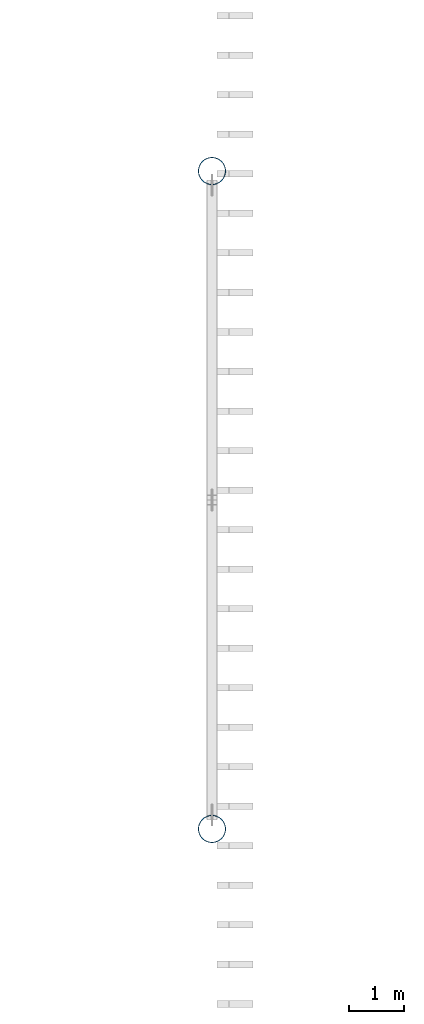
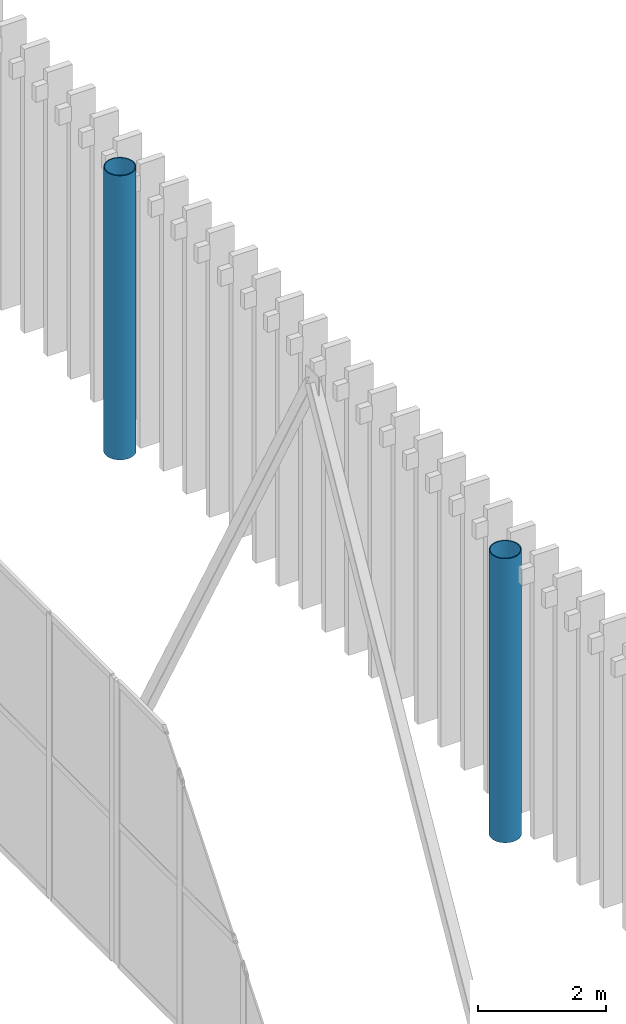
# One storey, part 21 of 170: 2 columns.
"""IFC4 building model written with IfcOpenShell, lengths in metres."""

from ifc_helpers import new_model, si_unit, direction, frame, origin, origin_2d, place, context, subcontext, project, spatial, hollow_circle, extrude, material, material_profile, profile_set, type_object, element, save


model = new_model("IFC4")

# Units and contexts
model_context = context("Model", 3, precision=1e-05, world=origin(), true_north=direction((0.0, 1.0)))
body_context = subcontext(model_context, "Body", "Model", "MODEL_VIEW")
ifc_project = project(units=[si_unit("LENGTHUNIT", "METRE"), si_unit("AREAUNIT", "SQUARE_METRE"), si_unit("VOLUMEUNIT", "CUBIC_METRE"), si_unit("PLANEANGLEUNIT", "RADIAN"), si_unit("MASSUNIT", "GRAM", prefix="KILO")], contexts=[model_context])

# Site, building, storey
site_placement = place(None, origin())
site = spatial("IfcSite", under=ifc_project, at=site_placement, CompositionType="ELEMENT")
building_placement = place(site_placement, origin())
building = spatial("IfcBuilding", under=site, at=building_placement, Name="Ravi Spectrum Wholesale Market", CompositionType="ELEMENT")
storey_placement = place(building_placement, frame((0.0, 0.0, 5.39990234375)))
storey = spatial("IfcBuildingStorey", under=building, at=storey_placement, Name="L01", CompositionType="ELEMENT", Elevation=5.39990234375)

# Columns
ifc_material = material(Name="Steel S355", Category="steel")
ifc_material_profile = material_profile(ifc_material, hollow_circle(Radius=0.25390625, WallThickness=0.01611328125, at=origin_2d()))
ifc_profile_set = profile_set([ifc_material_profile], Name="Steel S355")
column_type = type_object("IfcColumnType", Name="CHS 508x16 column", PredefinedType="COLUMN", material=ifc_profile_set)
for number, where, z_axis, x_axis, name in (
    (1, (110.0, 150.0, 0.0), (0.0, 0.0, 1.0), (1.0, 0.0, 0.0), "H1-COL-L01-026"),
    (2, (110.0, 162.0, 0.0), (0.0, 0.0, 1.0), (1.0, 0.0, 0.0), "H1-COL-L01-027"),
):
    element("IfcColumn", number, at=place(storey_placement, frame(where, z_axis=z_axis, x_axis=x_axis)), inside=storey, type_object=column_type, Name=name, PredefinedType="COLUMN", context=body_context, shape_type="SweptSolid", body=[
        extrude(hollow_circle(Radius=0.25390625, WallThickness=0.01611328125, at=origin_2d()), origin(), (0.0, 0.0, 1.0), 5.400146484375),
    ])

save(model, "model.ifc")
